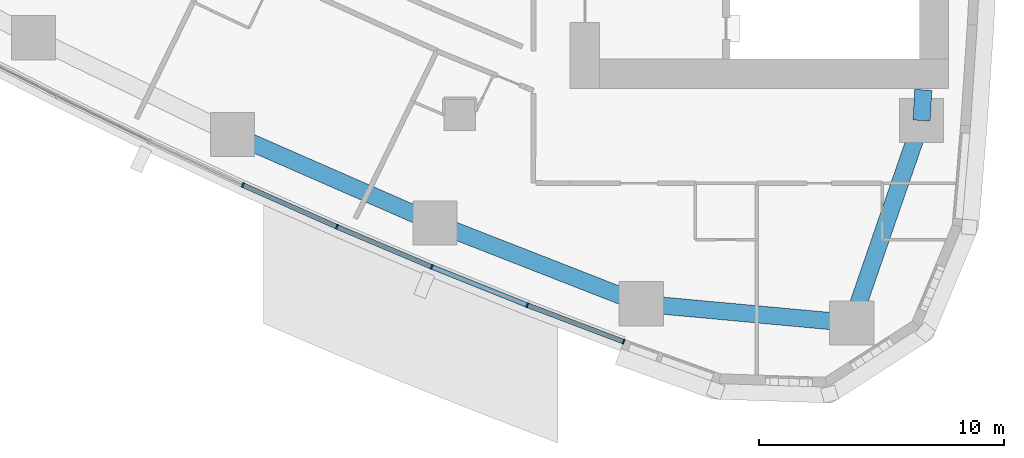
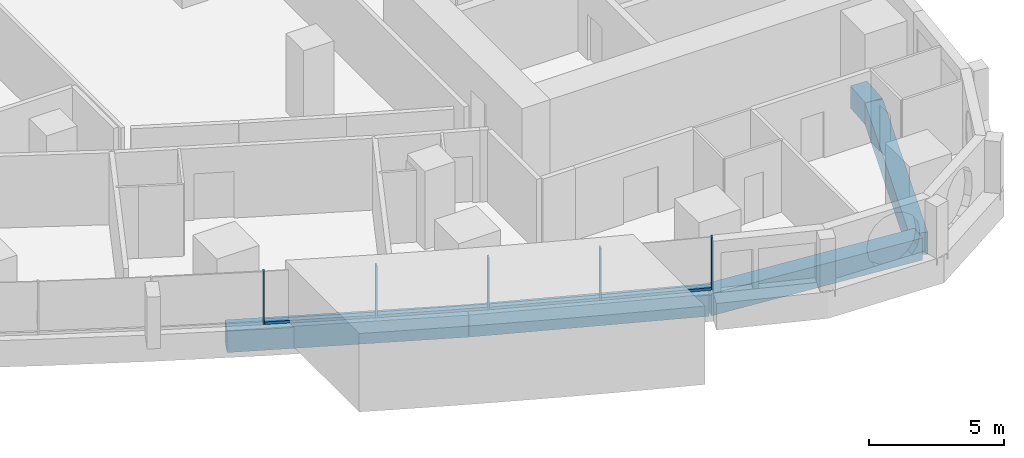
# One storey, part 3 of 19: 9 members, 5 beams, 3 elements without a shape of their own.
"""IFC4 building model written with IfcOpenShell, lengths in metres."""

from ifc_helpers import new_model, si_unit, direction, frame, origin, origin_2d, place, context, subcontext, project, spatial, rectangle, extrude, material, layer, layer_set, material_profile, profile_set, type_object, element, aggregate, save


model = new_model("IFC4")

# Units and contexts
model_context = context("Model", 3, precision=1e-05, world=origin(), true_north=direction((0.0, 1.0)))
body_context = subcontext(model_context, "Body", "Model", "MODEL_VIEW")
ifc_project = project(units=[si_unit("LENGTHUNIT", "METRE"), si_unit("AREAUNIT", "SQUARE_METRE"), si_unit("VOLUMEUNIT", "CUBIC_METRE"), si_unit("PLANEANGLEUNIT", "RADIAN"), si_unit("MASSUNIT", "GRAM", prefix="KILO")], contexts=[model_context])

# Site, building, storey
site_placement = place(None, origin())
site = spatial("IfcSite", under=ifc_project, at=site_placement, CompositionType="ELEMENT")
building_placement = place(site_placement, origin())
building = spatial("IfcBuilding", under=site, at=building_placement, Name="Ostrand Prow Hotel Tower", CompositionType="ELEMENT")
storey_placement = place(building_placement, frame((0.0, 0.0, 60.89990234375)))
storey = spatial("IfcBuildingStorey", under=building, at=storey_placement, Name="L13", CompositionType="ELEMENT", Elevation=60.89990234375)

# Beams
ifc_material_1 = material(Name="Concrete C80/95", Category="concrete")
ifc_material_profile_1 = material_profile(ifc_material_1, rectangle(XDim=0.699951171875, YDim=1.0, at=origin_2d()), Name="RC 700x1000")
ifc_profile_set_1 = profile_set([ifc_material_profile_1], Name="Concrete C80/95")
beam_type = type_object("IfcBeamType", Name="Edge beam 700x1000 C80/95", PredefinedType="SPANDREL", material=ifc_profile_set_1)
for number, where, z_axis, x_axis, name in (
    (1, (35.7412109375, -18.814208984375, -0.7998046875), (0.916095776162, -0.400959510297, 0.0), (0.400959510297, 0.916095776162, 0.0), "Edge beam S4-S5"),
    (2, (43.997802734375, -22.427978515625, -0.7998046875), (0.931329480916, -0.364177701098, 0.0), (0.364177701098, 0.931329480916, 0.0), "Edge beam S5-S6"),
):
    element("IfcBeam", number, at=place(storey_placement, frame(where, z_axis=z_axis, x_axis=x_axis)), inside=storey, type_object=beam_type, Name=name, PredefinedType="SPANDREL", context=body_context, shape_type="SweptSolid", body=[
        extrude(rectangle(XDim=0.699951171875, YDim=1.0, at=origin_2d()), origin(), (0.0, 0.0, 1.0), 9.0126953125),
    ])
beam_1_placement = place(storey_placement, frame((52.3916015625, -25.710205078125, -0.7998046875), z_axis=(0.995800189514, -0.091553167961, 0.0), x_axis=(0.091553167961, 0.995800189514, 0.0)))
element("IfcBeam", 3, at=beam_1_placement, inside=storey, type_object=beam_type, Name="Edge beam S6-SE", PredefinedType="SPANDREL", context=body_context, shape_type="SweptSolid", body=[
    extrude(rectangle(XDim=0.699951171875, YDim=1.0, at=origin_2d()), origin(), (0.0, 0.0, 1.0), 8.610595703125),
])
beam_2_placement = place(storey_placement, frame((60.966064453125, -26.49853515625, -0.7998046875), z_axis=(0.326263961413, 0.945278703602, 0.0), x_axis=(-0.945278703602, 0.326263961413, 0.0)))
element("IfcBeam", 4, at=beam_2_placement, inside=storey, type_object=beam_type, Name="Edge beam SE-B1", PredefinedType="SPANDREL", context=body_context, shape_type="SweptSolid", body=[
    extrude(rectangle(XDim=0.699951171875, YDim=1.0, at=origin_2d()), origin(), (0.0, 0.0, 1.0), 8.727294921875),
])
beam_3_placement = place(storey_placement, frame((63.8134765625, -18.248779296875, -0.7998046875), z_axis=(0.056215946509, 0.998418633319, 0.0), x_axis=(-0.998418633319, 0.056215946509, 0.0)))
element("IfcBeam", 5, at=beam_3_placement, inside=storey, type_object=beam_type, Name="Edge beam B1-B2", PredefinedType="SPANDREL", context=body_context, shape_type="SweptSolid", body=[
    extrude(rectangle(XDim=0.699951171875, YDim=1.0, at=origin_2d()), origin(), (0.0, 0.0, 1.0), 1.250732421875),
])

# Curtain wall, member
ifc_material_2 = material(Name="Insulated glass in bronze anodised frame", Category="glass")
ifc_layer = layer(ifc_material_2, 0.199951171875)
ifc_layer_set = layer_set([ifc_layer], Name="Insulated glass in bronze anodised frame")
curtain_wall_type = type_object("IfcCurtainWallType", Name="Strip curtain wall, fritted glass over bronze spandrel", PredefinedType="NOTDEFINED", material=ifc_layer_set)
curtain_wall_1_placement = place(storey_placement, origin())
curtain_wall_1 = element("IfcCurtainWall", 6, at=curtain_wall_1_placement, inside=storey, type_object=curtain_wall_type, Name="CW1 run CWS3", PredefinedType="NOTDEFINED")
ifc_material_3 = material(Name="Bronze anodised aluminium", Category="aluminium")
ifc_material_profile_2 = material_profile(ifc_material_3, rectangle(XDim=0.199951171875, YDim=0.06005859375, at=origin_2d()), Name="Mullion 60x200 bronze anodised aluminium")
ifc_profile_set_2 = profile_set([ifc_material_profile_2], Name="Bronze anodised aluminium")
member_type_1 = type_object("IfcMemberType", Name="Mullion 60x200 bronze anodised aluminium", PredefinedType="MULLION", material=ifc_profile_set_2)
member_1_placement = place(storey_placement, frame((36.162109375, -20.876953125, 0.900146484375), z_axis=(0.0, 0.0, 1.0), x_axis=(0.422529678615, 0.906349088757, 0.0)))
member_1 = element("IfcMember", 7, at=member_1_placement, type_object=member_type_1, Name="CW1 mullion 3", PredefinedType="MULLION", context=body_context, shape_type="SweptSolid", body=[
    extrude(rectangle(XDim=0.199951171875, YDim=0.06005859375, at=origin_2d()), origin(), (0.0, 0.0, 1.0), 2.349853515625),
])
aggregate(curtain_wall_1, [member_1])

# Curtain wall, members
curtain_wall_2_placement = place(storey_placement, origin())
curtain_wall_2 = element("IfcCurtainWall", 8, at=curtain_wall_2_placement, inside=storey, type_object=curtain_wall_type, Name="CW1 run CWS4", PredefinedType="NOTDEFINED")
member_2_placement = place(storey_placement, frame((39.99560546875, -22.5791015625, 0.900146484375), z_axis=(0.0, 0.0, 1.0), x_axis=(0.388892418709, 0.921283173987, 0.0)))
member_2 = element("IfcMember", 9, at=member_2_placement, type_object=member_type_1, Name="CW1 mullion 2", PredefinedType="MULLION", context=body_context, shape_type="SweptSolid", body=[
    extrude(rectangle(XDim=0.199951171875, YDim=0.06005859375, at=origin_2d()), origin(), (0.0, 0.0, 1.0), 2.349853515625),
])
member_3_placement = place(storey_placement, frame((43.859619140625, -24.210205078125, 0.900146484375), z_axis=(0.0, 0.0, 1.0), x_axis=(0.388892418709, 0.921283173987, 0.0)))
member_3 = element("IfcMember", 10, at=member_3_placement, type_object=member_type_1, Name="CW1 mullion 3", PredefinedType="MULLION", context=body_context, shape_type="SweptSolid", body=[
    extrude(rectangle(XDim=0.199951171875, YDim=0.06005859375, at=origin_2d()), origin(), (0.0, 0.0, 1.0), 2.349853515625),
])

curtain_wall_3_placement = place(storey_placement, origin())
curtain_wall_3 = element("IfcCurtainWall", 11, at=curtain_wall_3_placement, inside=storey, type_object=curtain_wall_type, Name="CW1 run CWS5", PredefinedType="NOTDEFINED")
member_4_placement = place(storey_placement, frame((47.7529296875, -25.769775390625, 0.900146484375), z_axis=(0.0, 0.0, 1.0), x_axis=(0.354728407072, 0.934969388384, 0.0)))
member_4 = element("IfcMember", 12, at=member_4_placement, type_object=member_type_1, Name="CW1 mullion 2", PredefinedType="MULLION", context=body_context, shape_type="SweptSolid", body=[
    extrude(rectangle(XDim=0.199951171875, YDim=0.06005859375, at=origin_2d()), origin(), (0.0, 0.0, 1.0), 2.349853515625),
])
member_5_placement = place(storey_placement, frame((51.674560546875, -27.2578125, 0.900146484375), z_axis=(0.0, 0.0, 1.0), x_axis=(0.354728407072, 0.934969388384, 0.0)))
member_5 = element("IfcMember", 13, at=member_5_placement, type_object=member_type_1, Name="CW1 mullion 3", PredefinedType="MULLION", context=body_context, shape_type="SweptSolid", body=[
    extrude(rectangle(XDim=0.199951171875, YDim=0.06005859375, at=origin_2d()), origin(), (0.0, 0.0, 1.0), 2.349853515625),
])

# Member
ifc_material_4 = material(Name="Bronze anodised aluminium", Category="aluminium")
ifc_material_profile_3 = material_profile(ifc_material_4, rectangle(XDim=0.199951171875, YDim=0.1201171875, at=origin_2d()), Name="Transom 120x200 bronze anodised aluminium")
ifc_profile_set_3 = profile_set([ifc_material_profile_3], Name="Bronze anodised aluminium")
member_type_2 = type_object("IfcMemberType", Name="Transom 120x200 bronze anodised aluminium", PredefinedType="USERDEFINED", material=ifc_profile_set_3)
member_6_placement = place(storey_placement, frame((36.189453125, -20.88916015625, 0.960205078125), z_axis=(0.913957599094, -0.405809693156, 0.0), x_axis=(0.405809693156, 0.913957599094, 0.0)))
member_6 = element("IfcMember", 14, at=member_6_placement, type_object=member_type_2, Name="CW1 transom 1.1", ObjectType="TRANSOM", PredefinedType="USERDEFINED", context=body_context, shape_type="SweptSolid", body=[
    extrude(rectangle(XDim=0.199951171875, YDim=0.1201171875, at=origin_2d()), origin(), (0.0, 0.0, 1.0), 4.13427734375),
])

member_7_placement = place(storey_placement, frame((40.023193359375, -22.5908203125, 0.960205078125), z_axis=(0.921284828297, -0.388888499637, 0.0), x_axis=(0.388888499637, 0.921284828297, 0.0)))
member_7 = element("IfcMember", 15, at=member_7_placement, type_object=member_type_2, Name="CW1 transom 2.1", ObjectType="TRANSOM", PredefinedType="USERDEFINED", context=body_context, shape_type="SweptSolid", body=[
    extrude(rectangle(XDim=0.199951171875, YDim=0.1201171875, at=origin_2d()), origin(), (0.0, 0.0, 1.0), 4.134033203125),
])

aggregate(curtain_wall_2, [member_2, member_3, member_6, member_7])

member_8_placement = place(storey_placement, frame((43.887451171875, -24.22119140625, 0.960205078125), z_axis=(0.928264761225, -0.371920062739, 0.0), x_axis=(0.371920062739, 0.928264761225, 0.0)))
member_8 = element("IfcMember", 16, at=member_8_placement, type_object=member_type_2, Name="CW1 transom 1.1", ObjectType="TRANSOM", PredefinedType="USERDEFINED", context=body_context, shape_type="SweptSolid", body=[
    extrude(rectangle(XDim=0.199951171875, YDim=0.1201171875, at=origin_2d()), origin(), (0.0, 0.0, 1.0), 4.13427734375),
])

member_9_placement = place(storey_placement, frame((47.781005859375, -25.780517578125, 0.960205078125), z_axis=(0.93497051437, -0.354725439261, 0.0), x_axis=(0.354725439261, 0.93497051437, 0.0)))
member_9 = element("IfcMember", 17, at=member_9_placement, type_object=member_type_2, Name="CW1 transom 2.1", ObjectType="TRANSOM", PredefinedType="USERDEFINED", context=body_context, shape_type="SweptSolid", body=[
    extrude(rectangle(XDim=0.199951171875, YDim=0.1201171875, at=origin_2d()), origin(), (0.0, 0.0, 1.0), 4.13427734375),
])

aggregate(curtain_wall_3, [member_4, member_5, member_8, member_9])

save(model, "model.ifc")
